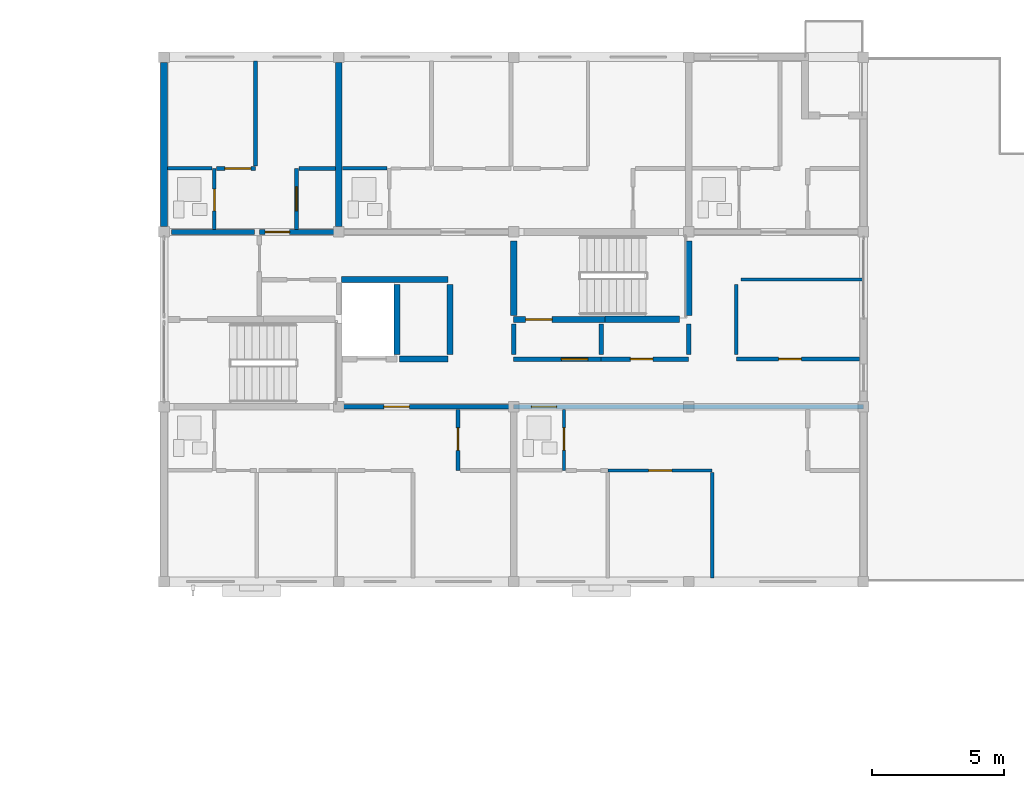
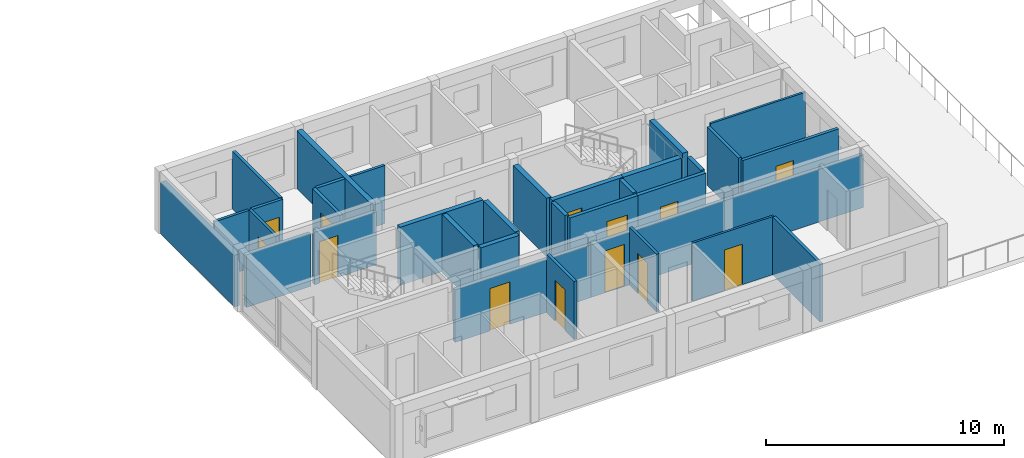
# One storey, part 13 of 22: 33 walls, 13 doors, 13 openings.
"""IFC4 building model written with IfcOpenShell, lengths in metres."""

from ifc_helpers import new_model, si_unit, direction, frame, frame_2d, origin, place, context, subcontext, project, spatial, rectangle, extrude, material, layer, layer_set, type_object, element, fill, save


model = new_model("IFC4")

# Units and contexts
model_context = context("Model", 3, precision=1e-05, world=origin(), true_north=direction((0.0, 1.0)))
body_context = subcontext(model_context, "Body", "Model", "MODEL_VIEW")
ifc_project = project(units=[si_unit("LENGTHUNIT", "METRE"), si_unit("AREAUNIT", "SQUARE_METRE"), si_unit("VOLUMEUNIT", "CUBIC_METRE"), si_unit("PLANEANGLEUNIT", "RADIAN"), si_unit("MASSUNIT", "GRAM", prefix="KILO")], contexts=[model_context])

# Site, building, storey
site_placement = place(None, origin())
site = spatial("IfcSite", under=ifc_project, at=site_placement, CompositionType="ELEMENT")
building_placement = place(site_placement, origin())
building = spatial("IfcBuilding", under=site, at=building_placement, Name="Kernevlak Ridge Housing Community", CompositionType="ELEMENT")
storey_placement = place(building_placement, frame((0.0, 0.0, 43.60009765625)))
storey = spatial("IfcBuildingStorey", under=building, at=storey_placement, Name="L13", CompositionType="ELEMENT", Elevation=43.60009765625)

# Walls
ifc_material_1 = material(Name="Concrete block masonry M10", Category="masonry")
ifc_layer_1 = layer(ifc_material_1, 0.260009765625, Name="Concrete block masonry M10")
ifc_layer_set_1 = layer_set([ifc_layer_1], Name="Concrete block masonry M10")
wall_type_1 = type_object("IfcWallType", Name="EW-05", PredefinedType="STANDARD", material=ifc_layer_set_1)
wall_1_placement = place(storey_placement, frame((119.39990234375, 96.0, 0.0), z_axis=(0.0, 0.0, 1.0), x_axis=(0.0, 1.0, 0.0)))
element("IfcWall", 1, at=wall_1_placement, inside=storey, type_object=wall_type_1, Name="Exterior wall EW-05 L13 510", PredefinedType="STANDARD", context=body_context, shape_type="SweptSolid", body=[
    extrude(rectangle(XDim=6.199951171875, YDim=0.260009765625, at=frame_2d((3.10009765625, 0.0))), origin(), (0.0, 0.0, 1.0), 2.64990234375),
])
ifc_material_2 = material(Name="Concrete C35/45", Category="concrete")
ifc_layer_2 = layer(ifc_material_2, 0.22509765625, Name="Concrete C35/45")
ifc_layer_set_2 = layer_set([ifc_layer_2], Name="Concrete C35/45")
wall_type_2 = type_object("IfcWallType", Name="PW-01", PredefinedType="STANDARD", material=ifc_layer_set_2)
wall_2_placement = place(storey_placement, frame((128.280029296875, 91.0, 0.0), z_axis=(0.0, 0.0, 1.0), x_axis=(1.0, 0.0, 0.0)))
element("IfcWall", 2, at=wall_2_placement, inside=storey, type_object=wall_type_2, Name="Interior wall PW-01 WAL-INT-L13-1959", PredefinedType="STANDARD", context=body_context, shape_type="SweptSolid", body=[
    extrude(rectangle(XDim=1.840087890625, YDim=0.22509765625, at=frame_2d((0.919921875, 0.0))), origin(), (0.0, 0.0, 1.0), 2.97998046875),
])
wall_3_placement = place(storey_placement, frame((126.097412109375, 94.0, 0.0), z_axis=(0.0, 0.0, 1.0), x_axis=(1.0, 0.0, 0.0)))
element("IfcWall", 3, at=wall_3_placement, inside=storey, type_object=wall_type_2, Name="Interior wall PW-01 WAL-INT-L13-1960", PredefinedType="STANDARD", context=body_context, shape_type="SweptSolid", body=[
    extrude(rectangle(XDim=4.022705078125, YDim=0.22509765625, at=frame_2d((2.01123046875, 0.0))), origin(), (0.0, 0.0, 1.0), 2.97998046875),
])
for number, where, z_axis, x_axis, name in (
    (4, (128.199951171875, 91.179931640625, 0.0), (0.0, 0.0, 1.0), (0.0, 1.0, 0.0), "Interior wall PW-01 WAL-INT-L13-1962"),
    (5, (130.199951171875, 91.179931640625, 0.0), (0.0, 0.0, 1.0), (0.0, 1.0, 0.0), "Interior wall PW-01 WAL-INT-L13-1963"),
):
    element("IfcWall", number, at=place(storey_placement, frame(where, z_axis=z_axis, x_axis=x_axis)), inside=storey, type_object=wall_type_2, Name=name, PredefinedType="STANDARD", context=body_context, shape_type="SweptSolid", body=[
        extrude(rectangle(XDim=2.64013671875, YDim=0.22509765625, at=frame_2d((1.320068359375, 0.0))), origin(), (0.0, 0.0, 1.0), 2.97998046875),
    ])

# Wall, opening, door
wall_4_placement = place(storey_placement, frame((132.60009765625, 92.5, 0.0), z_axis=(0.0, 0.0, 1.0), x_axis=(1.0, 0.0, 0.0)))
wall_4 = element("IfcWall", 6, at=wall_4_placement, inside=storey, type_object=wall_type_2, Name="Interior wall PW-01 WAL-INT-L13-1964", PredefinedType="STANDARD", context=body_context, shape_type="SweptSolid", body=[
    extrude(rectangle(XDim=3.449951171875, YDim=0.22509765625, at=frame_2d((1.72509765625, 0.0))), origin(), (0.0, 0.0, 1.0), 2.97998046875),
])
opening_1_placement = place(wall_4_placement, frame((0.449951171875, 0.0, 0.0)))
opening_1 = element("IfcOpeningElement", 7, at=opening_1_placement, cuts=wall_4, Name="Opening D994", PredefinedType="OPENING", context=body_context, shape_type="SweptSolid", body=[
    extrude(rectangle(XDim=1.0, YDim=2.10009765625, at=frame_2d((0.5, 1.050048828125))), frame((0.0, 0.12255859375, 0.0), z_axis=(0.0, -1.0, 0.0), x_axis=(1.0, 0.0, 0.0)), (0.0, 0.0, 1.0), 0.2451171875),
])
ifc_material_3 = material(Name="Fire-rated sheet steel leaf", Category="steel")
door_type_1 = type_object("IfcDoorType", Name="DT-05", OperationType="NOTDEFINED", PredefinedType="DOOR", material=ifc_material_3)
door_1_placement = place(opening_1_placement, origin())
door_1 = element("IfcDoor", 8, at=door_1_placement, inside=storey, type_object=door_type_1, Name="Block B Stair 2 fire door D994", OperationType="SINGLE_SWING_RIGHT", OverallHeight=2.10009765625, OverallWidth=1.0, PredefinedType="DOOR", context=body_context, shape_type="SweptSolid", body=[
    extrude(rectangle(XDim=1.0, YDim=2.10009765625, at=frame_2d((0.5, 1.050048828125))), frame((0.0, 0.02490234375, 0.0), z_axis=(0.0, -1.0, 0.0), x_axis=(1.0, 0.0, 0.0)), (0.0, 0.0, 1.0), 0.050048828125),
])
fill(opening_1, door_1)

ifc_layer_3 = layer(ifc_material_1, 0.175048828125, Name="Concrete block masonry M10")
ifc_layer_set_3 = layer_set([ifc_layer_3], Name="Concrete block masonry M10")
wall_type_3 = type_object("IfcWallType", Name="PW-02", PredefinedType="PARTITIONING", material=ifc_layer_set_3)
wall_5_placement = place(storey_placement, frame((132.60009765625, 91.0, 0.0), z_axis=(0.0, 0.0, 1.0), x_axis=(1.0, 0.0, 0.0)))
wall_5 = element("IfcWall", 9, at=wall_5_placement, inside=storey, type_object=wall_type_3, Name="Interior wall PW-02 WAL-INT-L13-1965", PredefinedType="PARTITIONING", context=body_context, shape_type="SweptSolid", body=[
    extrude(rectangle(XDim=3.2998046875, YDim=0.175048828125, at=frame_2d((1.64990234375, 0.0))), origin(), (0.0, 0.0, 1.0), 2.97998046875),
])
opening_2_placement = place(wall_5_placement, frame((1.800048828125, 0.0, 0.0)))
opening_2 = element("IfcOpeningElement", 10, at=opening_2_placement, cuts=wall_5, Name="Opening D995", PredefinedType="OPENING", context=body_context, shape_type="SweptSolid", body=[
    extrude(rectangle(XDim=1.0, YDim=2.159912109375, at=frame_2d((0.5, 1.080078125))), frame((0.0, 0.097412109375, 0.0), z_axis=(0.0, -1.0, 0.0), x_axis=(1.0, 0.0, 0.0)), (0.0, 0.0, 1.0), 0.195068359375),
])
door_type_2 = type_object("IfcDoorType", Name="DT-15", OperationType="NOTDEFINED", PredefinedType="DOOR", material=ifc_material_3)
door_2_placement = place(opening_2_placement, origin())
door_2 = element("IfcDoor", 11, at=door_2_placement, inside=storey, type_object=door_type_2, Name="Block B Firefighting lobby 2 door D995", OperationType="SINGLE_SWING_LEFT", OverallHeight=2.159912109375, OverallWidth=1.0, PredefinedType="DOOR", context=body_context, shape_type="SweptSolid", body=[
    extrude(rectangle(XDim=1.0, YDim=2.159912109375, at=frame_2d((0.5, 1.080078125))), frame((0.0, 0.02490234375, 0.0), z_axis=(0.0, -1.0, 0.0), x_axis=(1.0, 0.0, 0.0)), (0.0, 0.0, 1.0), 0.050048828125),
])
fill(opening_2, door_2)

wall_6_placement = place(storey_placement, frame((135.89990234375, 91.0, 0.0), z_axis=(0.0, 0.0, 1.0), x_axis=(1.0, 0.0, 0.0)))
wall_6 = element("IfcWall", 12, at=wall_6_placement, inside=storey, type_object=wall_type_3, Name="Interior wall PW-02 WAL-INT-L13-1966", PredefinedType="PARTITIONING", context=body_context, shape_type="SweptSolid", body=[
    extrude(rectangle(XDim=3.300048828125, YDim=0.175048828125, at=frame_2d((1.64990234375, 0.0))), origin(), (0.0, 0.0, 1.0), 2.97998046875),
])
opening_3_placement = place(wall_6_placement, frame((1.10009765625, 0.0, 0.0)))
opening_3 = element("IfcOpeningElement", 13, at=opening_3_placement, cuts=wall_6, Name="Opening D996", PredefinedType="OPENING", context=body_context, shape_type="SweptSolid", body=[
    extrude(rectangle(XDim=0.85009765625, YDim=2.0, at=frame_2d((0.425048828125, 1.0))), frame((0.0, 0.097412109375, 0.0), z_axis=(0.0, -1.0, 0.0), x_axis=(1.0, 0.0, 0.0)), (0.0, 0.0, 1.0), 0.195068359375),
])
door_type_3 = type_object("IfcDoorType", Name="DT-07", OperationType="NOTDEFINED", PredefinedType="DOOR", material=ifc_material_3)
door_3_placement = place(opening_3_placement, origin())
door_3 = element("IfcDoor", 14, at=door_3_placement, inside=storey, type_object=door_type_3, Name="Block B Cleaner store door D996", OperationType="SINGLE_SWING_RIGHT", OverallHeight=2.0, OverallWidth=0.85009765625, PredefinedType="DOOR", context=body_context, shape_type="SweptSolid", body=[
    extrude(rectangle(XDim=0.85009765625, YDim=2.0, at=frame_2d((0.425048828125, 1.0))), frame((0.0, 0.02490234375, 0.0), z_axis=(0.0, -1.0, 0.0), x_axis=(1.0, 0.0, 0.0)), (0.0, 0.0, 1.0), 0.050048828125),
])
fill(opening_3, door_3)

# Walls
for number, where, z_axis, x_axis, name in (
    (15, (132.60009765625, 91.179931640625, 0.0), (0.0, 0.0, 1.0), (0.0, 1.0, 0.0), "Interior wall PW-02 WAL-INT-L13-1967"),
    (16, (135.89990234375, 91.179931640625, 0.0), (0.0, 0.0, 1.0), (0.0, 1.0, 0.0), "Interior wall PW-02 WAL-INT-L13-1968"),
    (17, (139.199951171875, 91.179931640625, 0.0), (0.0, 0.0, 1.0), (0.0, 1.0, 0.0), "Interior wall PW-02 WAL-INT-L13-1969"),
):
    element("IfcWall", number, at=place(storey_placement, frame(where, z_axis=z_axis, x_axis=x_axis)), inside=storey, type_object=wall_type_3, Name=name, PredefinedType="PARTITIONING", context=body_context, shape_type="SweptSolid", body=[
        extrude(rectangle(XDim=1.14013671875, YDim=0.175048828125, at=frame_2d((0.570068359375, 0.0))), origin(), (0.0, 0.0, 1.0), 2.97998046875),
    ])

# Wall, opening, door
wall_7_placement = place(storey_placement, frame((126.0, 89.199951171875, 0.0), z_axis=(0.0, 0.0, 1.0), x_axis=(1.0, 0.0, 0.0)))
wall_7 = element("IfcWall", 18, at=wall_7_placement, inside=storey, type_object=wall_type_3, Name="Interior wall PW-02 WAL-INT-L13-1973", PredefinedType="PARTITIONING", context=body_context, shape_type="SweptSolid", body=[
    extrude(rectangle(XDim=6.60009765625, YDim=0.175048828125, at=frame_2d((3.300048828125, 0.0))), origin(), (0.0, 0.0, 1.0), 2.699951171875),
])
opening_4_placement = place(wall_7_placement, frame((1.699951171875, 0.0, 0.0)))
opening_4 = element("IfcOpeningElement", 19, at=opening_4_placement, cuts=wall_7, Name="Opening D999", PredefinedType="OPENING", context=body_context, shape_type="SweptSolid", body=[
    extrude(rectangle(XDim=0.9599609375, YDim=2.179931640625, at=frame_2d((0.47998046875, 1.08984375))), frame((0.0, 0.097412109375, 0.0), z_axis=(0.0, -1.0, 0.0), x_axis=(1.0, 0.0, 0.0)), (0.0, 0.0, 1.0), 0.195068359375),
])
ifc_material_4 = material(Name="Hardwood timber solid-core fire leaf", Category="wood")
door_type_4 = type_object("IfcDoorType", Name="DT-29", OperationType="NOTDEFINED", PredefinedType="DOOR", material=ifc_material_4)
door_4_placement = place(opening_4_placement, origin())
door_4 = element("IfcDoor", 20, at=door_4_placement, inside=storey, type_object=door_type_4, Name="Flat B1311 entrance fire door D999", OperationType="SINGLE_SWING_LEFT", OverallHeight=2.179931640625, OverallWidth=0.9599609375, PredefinedType="DOOR", context=body_context, shape_type="SweptSolid", body=[
    extrude(rectangle(XDim=0.9599609375, YDim=2.179931640625, at=frame_2d((0.47998046875, 1.08984375))), frame((0.0, 0.02490234375, 0.0), z_axis=(0.0, -1.0, 0.0), x_axis=(1.0, 0.0, 0.0)), (0.0, 0.0, 1.0), 0.050048828125),
])
fill(opening_4, door_4)

wall_8_placement = place(storey_placement, frame((132.60009765625, 89.199951171875, 0.0), z_axis=(0.0, 0.0, 1.0), x_axis=(1.0, 0.0, 0.0)))
wall_8 = element("IfcWall", 21, at=wall_8_placement, inside=storey, type_object=wall_type_3, Name="Interior wall PW-02 WAL-INT-L13-1984", PredefinedType="PARTITIONING", context=body_context, shape_type="SweptSolid", body=[
    extrude(rectangle(XDim=13.199951171875, YDim=0.175048828125, at=frame_2d((6.60009765625, 0.0))), origin(), (0.0, 0.0, 1.0), 2.699951171875),
])
opening_5_placement = place(wall_8_placement, frame((0.669921875, 0.0, 0.0)))
opening_5 = element("IfcOpeningElement", 22, at=opening_5_placement, cuts=wall_8, Name="Opening E006", PredefinedType="OPENING", context=body_context, shape_type="SweptSolid", body=[
    extrude(rectangle(XDim=0.949951171875, YDim=2.159912109375, at=frame_2d((0.47509765625, 1.080078125))), frame((0.0, 0.097412109375, 0.0), z_axis=(0.0, -1.0, 0.0), x_axis=(1.0, 0.0, 0.0)), (0.0, 0.0, 1.0), 0.195068359375),
])
door_type_5 = type_object("IfcDoorType", Name="DT-02", OperationType="NOTDEFINED", PredefinedType="DOOR", material=ifc_material_4)
door_5_placement = place(opening_5_placement, origin())
door_5 = element("IfcDoor", 23, at=door_5_placement, inside=storey, type_object=door_type_5, Name="Flat B1312 entrance fire door E006", OperationType="SINGLE_SWING_LEFT", OverallHeight=2.159912109375, OverallWidth=0.949951171875, PredefinedType="DOOR", context=body_context, shape_type="SweptSolid", body=[
    extrude(rectangle(XDim=0.949951171875, YDim=2.159912109375, at=frame_2d((0.47509765625, 1.080078125))), frame((0.0, 0.02490234375, 0.0), z_axis=(0.0, -1.0, 0.0), x_axis=(1.0, 0.0, 0.0)), (0.0, 0.0, 1.0), 0.050048828125),
])
fill(opening_5, door_5)

# Wall
wall_9_placement = place(storey_placement, frame((119.679931640625, 95.800048828125, 0.0), z_axis=(0.0, 0.0, 1.0), x_axis=(1.0, 0.0, 0.0)))
element("IfcWall", 24, at=wall_9_placement, inside=storey, type_object=wall_type_3, Name="Interior wall PW-02 WAL-INT-L13-1993", PredefinedType="PARTITIONING", context=body_context, shape_type="SweptSolid", body=[
    extrude(rectangle(XDim=3.14013671875, YDim=0.175048828125, at=frame_2d((1.570068359375, 0.0))), origin(), (0.0, 0.0, 1.0), 2.699951171875),
])

# Wall, opening, door
wall_10_placement = place(storey_placement, frame((123.0, 95.800048828125, 0.0), z_axis=(0.0, 0.0, 1.0), x_axis=(1.0, 0.0, 0.0)))
wall_10 = element("IfcWall", 25, at=wall_10_placement, inside=storey, type_object=wall_type_3, Name="Interior wall PW-02 WAL-INT-L13-1994", PredefinedType="PARTITIONING", context=body_context, shape_type="SweptSolid", body=[
    extrude(rectangle(XDim=3.0, YDim=0.175048828125, at=frame_2d((1.5, 0.0))), origin(), (0.0, 0.0, 1.0), 2.699951171875),
])
opening_6_placement = place(wall_10_placement, frame((0.219970703125, 0.0, 0.0)))
opening_6 = element("IfcOpeningElement", 26, at=opening_6_placement, cuts=wall_10, Name="Opening E011", PredefinedType="OPENING", context=body_context, shape_type="SweptSolid", body=[
    extrude(rectangle(XDim=0.919921875, YDim=2.139892578125, at=frame_2d((0.4599609375, 1.06982421875))), frame((0.0, 0.097412109375, 0.0), z_axis=(0.0, -1.0, 0.0), x_axis=(1.0, 0.0, 0.0)), (0.0, 0.0, 1.0), 0.195068359375),
])
door_type_6 = type_object("IfcDoorType", Name="DT-20", OperationType="NOTDEFINED", PredefinedType="DOOR", material=ifc_material_4)
door_6_placement = place(opening_6_placement, origin())
door_6 = element("IfcDoor", 27, at=door_6_placement, inside=storey, type_object=door_type_6, Name="Flat B1321 entrance fire door E011", OperationType="SINGLE_SWING_RIGHT", OverallHeight=2.139892578125, OverallWidth=0.919921875, PredefinedType="DOOR", context=body_context, shape_type="SweptSolid", body=[
    extrude(rectangle(XDim=0.919921875, YDim=2.139892578125, at=frame_2d((0.4599609375, 1.06982421875))), frame((0.0, 0.02490234375, 0.0), z_axis=(0.0, -1.0, 0.0), x_axis=(1.0, 0.0, 0.0)), (0.0, 0.0, 1.0), 0.050048828125),
])
fill(opening_6, door_6)

ifc_layer_4 = layer(ifc_material_1, 0.14501953125, Name="Concrete block masonry M10")
ifc_layer_set_4 = layer_set([ifc_layer_4], Name="Concrete block masonry M10")
wall_type_4 = type_object("IfcWallType", Name="PW-03", PredefinedType="PARTITIONING", material=ifc_layer_set_4)
wall_11_placement = place(storey_placement, frame((141.0, 91.0, 0.0), z_axis=(0.0, 0.0, 1.0), x_axis=(1.0, 0.0, 0.0)))
wall_11 = element("IfcWall", 28, at=wall_11_placement, inside=storey, type_object=wall_type_4, Name="Interior wall PW-03 WAL-INT-L13-1970", PredefinedType="PARTITIONING", context=body_context, shape_type="SweptSolid", body=[
    extrude(rectangle(XDim=4.659912109375, YDim=0.14501953125, at=frame_2d((2.330078125, 0.0))), origin(), (0.0, 0.0, 1.0), 2.97998046875),
])
opening_7_placement = place(wall_11_placement, frame((1.60009765625, 0.0, 0.0)))
opening_7 = element("IfcOpeningElement", 29, at=opening_7_placement, cuts=wall_11, Name="Opening D997", PredefinedType="OPENING", context=body_context, shape_type="SweptSolid", body=[
    extrude(rectangle(XDim=0.860107421875, YDim=2.1201171875, at=frame_2d((0.43017578125, 1.06005859375))), frame((0.0, 0.08251953125, 0.0), z_axis=(0.0, -1.0, 0.0), x_axis=(1.0, 0.0, 0.0)), (0.0, 0.0, 1.0), 0.1650390625),
])
ifc_material_5 = material(Name="Hardwood timber leaf", Category="wood")
door_type_7 = type_object("IfcDoorType", Name="DT-28", OperationType="NOTDEFINED", PredefinedType="DOOR", material=ifc_material_5)
door_7_placement = place(opening_7_placement, origin())
door_7 = element("IfcDoor", 30, at=door_7_placement, inside=storey, type_object=door_type_7, Name="Block B Laundry room door D997", OperationType="SINGLE_SWING_LEFT", OverallHeight=2.1201171875, OverallWidth=0.860107421875, PredefinedType="DOOR", context=body_context, shape_type="SweptSolid", body=[
    extrude(rectangle(XDim=0.860107421875, YDim=2.1201171875, at=frame_2d((0.43017578125, 1.06005859375))), frame((0.0, 0.02490234375, 0.0), z_axis=(0.0, -1.0, 0.0), x_axis=(1.0, 0.0, 0.0)), (0.0, 0.0, 1.0), 0.050048828125),
])
fill(opening_7, door_7)

# Walls
wall_12_placement = place(storey_placement, frame((141.0, 91.179931640625, 0.0), z_axis=(0.0, 0.0, 1.0), x_axis=(0.0, 1.0, 0.0)))
element("IfcWall", 31, at=wall_12_placement, inside=storey, type_object=wall_type_4, Name="Interior wall PW-03 WAL-INT-L13-1972", PredefinedType="PARTITIONING", context=body_context, shape_type="SweptSolid", body=[
    extrude(rectangle(XDim=2.64013671875, YDim=0.14501953125, at=frame_2d((1.320068359375, 0.0))), origin(), (0.0, 0.0, 1.0), 2.97998046875),
])
wall_13_placement = place(storey_placement, frame((140.092041015625, 86.719970703125, 0.0), z_axis=(0.0, 0.0, 1.0), x_axis=(0.0, -1.0, 0.0)))
element("IfcWall", 32, at=wall_13_placement, inside=storey, type_object=wall_type_4, Name="Interior wall PW-03 WAL-INT-L13-1992", PredefinedType="PARTITIONING", context=body_context, shape_type="SweptSolid", body=[
    extrude(rectangle(XDim=3.97998046875, YDim=0.14501953125, at=frame_2d((1.989990234375, 0.0))), origin(), (0.0, 0.0, 1.0), 2.97998046875),
])

# Wall, opening, door
wall_14_placement = place(storey_placement, frame((121.37255859375, 98.199951171875, 0.0), z_axis=(0.0, 0.0, 1.0), x_axis=(1.0, 0.0, 0.0)))
wall_14 = element("IfcWall", 33, at=wall_14_placement, inside=storey, type_object=wall_type_4, Name="Interior wall PW-03 WAL-INT-L13-1999", PredefinedType="PARTITIONING", context=body_context, shape_type="SweptSolid", body=[
    extrude(rectangle(XDim=1.4775390625, YDim=0.14501953125, at=frame_2d((0.73876953125, 0.0))), origin(), (0.0, 0.0, 1.0), 2.97998046875),
])
opening_8_placement = place(wall_14_placement, frame((0.327392578125, 0.0, 0.0)))
opening_8 = element("IfcOpeningElement", 34, at=opening_8_placement, cuts=wall_14, Name="Opening E014", PredefinedType="OPENING", context=body_context, shape_type="SweptSolid", body=[
    extrude(rectangle(XDim=0.97998046875, YDim=2.1201171875, at=frame_2d((0.489990234375, 1.06005859375))), frame((0.0, 0.08251953125, 0.0), z_axis=(0.0, -1.0, 0.0), x_axis=(1.0, 0.0, 0.0)), (0.0, 0.0, 1.0), 0.1650390625),
])
door_type_8 = type_object("IfcDoorType", Name="DT-24", OperationType="NOTDEFINED", PredefinedType="DOOR", material=ifc_material_5)
door_8_placement = place(opening_8_placement, origin())
door_8 = element("IfcDoor", 35, at=door_8_placement, inside=storey, type_object=door_type_8, Name="Flat B1321 bedroom door E014", OperationType="SINGLE_SWING_LEFT", OverallHeight=2.1201171875, OverallWidth=0.97998046875, PredefinedType="DOOR", context=body_context, shape_type="SweptSolid", body=[
    extrude(rectangle(XDim=0.97998046875, YDim=2.1201171875, at=frame_2d((0.489990234375, 1.06005859375))), frame((0.0, 0.02490234375, 0.0), z_axis=(0.0, -1.0, 0.0), x_axis=(1.0, 0.0, 0.0)), (0.0, 0.0, 1.0), 0.050048828125),
])
fill(opening_8, door_8)

# Wall
wall_15_placement = place(storey_placement, frame((122.85009765625, 98.282470703125, 0.0), z_axis=(0.0, 0.0, 1.0), x_axis=(0.0, 1.0, 0.0)))
element("IfcWall", 36, at=wall_15_placement, inside=storey, type_object=wall_type_4, Name="Interior wall PW-03 WAL-INT-L13-2000", PredefinedType="PARTITIONING", context=body_context, shape_type="SweptSolid", body=[
    extrude(rectangle(XDim=3.9775390625, YDim=0.14501953125, at=frame_2d((1.98876953125, 0.0))), origin(), (0.0, 0.0, 1.0), 2.97998046875),
])

# Wall, opening, door
ifc_material_6 = material(Name="Gypsum plasterboard EN 520", Category="gypsum")
ifc_layer_5 = layer(ifc_material_6, 0.125, Name="Gypsum plasterboard EN 520")
ifc_layer_set_5 = layer_set([ifc_layer_5], Name="Gypsum plasterboard EN 520")
wall_type_5 = type_object("IfcWallType", Name="PW-04", PredefinedType="PARTITIONING", material=ifc_layer_set_5)
wall_16_placement = place(storey_placement, frame((134.5, 89.1025390625, 0.0), z_axis=(0.0, 0.0, 1.0), x_axis=(0.0, -1.0, 0.0)))
wall_16 = element("IfcWall", 37, at=wall_16_placement, inside=storey, type_object=wall_type_5, Name="Interior wall PW-04 WAL-INT-L13-1985", PredefinedType="PARTITIONING", context=body_context, shape_type="SweptSolid", body=[
    extrude(rectangle(XDim=2.302490234375, YDim=0.125, at=frame_2d((1.1513671875, 0.0))), origin(), (0.0, 0.0, 1.0), 2.97998046875),
])
opening_9_placement = place(wall_16_placement, frame((0.699951171875, 0.0, 0.0)))
opening_9 = element("IfcOpeningElement", 38, at=opening_9_placement, cuts=wall_16, Name="Opening E007", PredefinedType="OPENING", context=body_context, shape_type="SweptSolid", body=[
    extrude(rectangle(XDim=0.840087890625, YDim=2.06005859375, at=frame_2d((0.419921875, 1.030029296875))), frame((0.0, 0.072509765625, 0.0), z_axis=(0.0, -1.0, 0.0), x_axis=(1.0, 0.0, 0.0)), (0.0, 0.0, 1.0), 0.14501953125),
])
ifc_material_7 = material(Name="Hardwood timber moisture-resistant leaf", Category="wood")
door_type_9 = type_object("IfcDoorType", Name="DT-27", OperationType="NOTDEFINED", PredefinedType="DOOR", material=ifc_material_7)
door_9_placement = place(opening_9_placement, origin())
door_9 = element("IfcDoor", 39, at=door_9_placement, inside=storey, type_object=door_type_9, Name="Flat B1312 bathroom door E007", OperationType="SINGLE_SWING_RIGHT", OverallHeight=2.06005859375, OverallWidth=0.840087890625, PredefinedType="DOOR", context=body_context, shape_type="SweptSolid", body=[
    extrude(rectangle(XDim=0.840087890625, YDim=2.06005859375, at=frame_2d((0.419921875, 1.030029296875))), frame((0.0, 0.02490234375, 0.0), z_axis=(0.0, -1.0, 0.0), x_axis=(1.0, 0.0, 0.0)), (0.0, 0.0, 1.0), 0.050048828125),
])
fill(opening_9, door_9)

wall_17_placement = place(storey_placement, frame((121.300048828125, 95.8974609375, 0.0), z_axis=(0.0, 0.0, 1.0), x_axis=(0.0, 1.0, 0.0)))
wall_17 = element("IfcWall", 40, at=wall_17_placement, inside=storey, type_object=wall_type_5, Name="Interior wall PW-04 WAL-INT-L13-1995", PredefinedType="PARTITIONING", context=body_context, shape_type="SweptSolid", body=[
    extrude(rectangle(XDim=2.302490234375, YDim=0.125, at=frame_2d((1.1513671875, 0.0))), origin(), (0.0, 0.0, 1.0), 2.97998046875),
])
opening_10_placement = place(wall_17_placement, frame((0.699951171875, 0.0, 0.0)))
opening_10 = element("IfcOpeningElement", 41, at=opening_10_placement, cuts=wall_17, Name="Opening E012", PredefinedType="OPENING", context=body_context, shape_type="SweptSolid", body=[
    extrude(rectangle(XDim=0.820068359375, YDim=2.050048828125, at=frame_2d((0.41015625, 1.02490234375))), frame((0.0, 0.072509765625, 0.0), z_axis=(0.0, -1.0, 0.0), x_axis=(1.0, 0.0, 0.0)), (0.0, 0.0, 1.0), 0.14501953125),
])
door_type_10 = type_object("IfcDoorType", Name="DT-30", OperationType="NOTDEFINED", PredefinedType="DOOR", material=ifc_material_7)
door_10_placement = place(opening_10_placement, origin())
door_10 = element("IfcDoor", 42, at=door_10_placement, inside=storey, type_object=door_type_10, Name="Flat B1321 bathroom door E012", OperationType="SINGLE_SWING_LEFT", OverallHeight=2.050048828125, OverallWidth=0.820068359375, PredefinedType="DOOR", context=body_context, shape_type="SweptSolid", body=[
    extrude(rectangle(XDim=0.820068359375, YDim=2.050048828125, at=frame_2d((0.41015625, 1.02490234375))), frame((0.0, 0.02490234375, 0.0), z_axis=(0.0, -1.0, 0.0), x_axis=(1.0, 0.0, 0.0)), (0.0, 0.0, 1.0), 0.050048828125),
])
fill(opening_10, door_10)

# Walls
wall_18_placement = place(storey_placement, frame((119.5400390625, 98.199951171875, 0.0), z_axis=(0.0, 0.0, 1.0), x_axis=(1.0, 0.0, 0.0)))
element("IfcWall", 43, at=wall_18_placement, inside=storey, type_object=wall_type_5, Name="Interior wall PW-04 WAL-INT-L13-1996", PredefinedType="PARTITIONING", context=body_context, shape_type="SweptSolid", body=[
    extrude(rectangle(XDim=1.679931640625, YDim=0.125, at=frame_2d((0.83984375, 0.0))), origin(), (0.0, 0.0, 1.0), 2.97998046875),
])
wall_19_placement = place(storey_placement, frame((126.135009765625, 98.199951171875, 0.0), z_axis=(0.0, 0.0, 1.0), x_axis=(1.0, 0.0, 0.0)))
element("IfcWall", 44, at=wall_19_placement, inside=storey, type_object=wall_type_5, Name="Interior wall PW-04 WAL-INT-L13-2003", PredefinedType="PARTITIONING", context=body_context, shape_type="SweptSolid", body=[
    extrude(rectangle(XDim=1.68505859375, YDim=0.125, at=frame_2d((0.842529296875, 0.0))), origin(), (0.0, 0.0, 1.0), 2.97998046875),
])

# Wall, opening, door
ifc_layer_6 = layer(ifc_material_6, 0.155029296875, Name="Gypsum plasterboard EN 520")
ifc_layer_set_6 = layer_set([ifc_layer_6], Name="Gypsum plasterboard EN 520")
wall_type_6 = type_object("IfcWallType", Name="PW-05", PredefinedType="PARTITIONING", material=ifc_layer_set_6)
wall_20_placement = place(storey_placement, frame((130.5, 89.1025390625, 0.0), z_axis=(0.0, 0.0, 1.0), x_axis=(0.0, -1.0, 0.0)))
wall_20 = element("IfcWall", 45, at=wall_20_placement, inside=storey, type_object=wall_type_6, Name="Interior wall PW-05 WAL-INT-L13-1976", PredefinedType="PARTITIONING", context=body_context, shape_type="SweptSolid", body=[
    extrude(rectangle(XDim=2.302490234375, YDim=0.155029296875, at=frame_2d((1.1513671875, 0.0))), origin(), (0.0, 0.0, 1.0), 2.97998046875),
])
opening_11_placement = place(wall_20_placement, frame((0.699951171875, 0.0, 0.0)))
opening_11 = element("IfcOpeningElement", 46, at=opening_11_placement, cuts=wall_20, Name="Opening E002", PredefinedType="OPENING", context=body_context, shape_type="SweptSolid", body=[
    extrude(rectangle(XDim=0.85009765625, YDim=2.10009765625, at=frame_2d((0.425048828125, 1.050048828125))), frame((0.0, 0.08740234375, 0.0), z_axis=(0.0, -1.0, 0.0), x_axis=(1.0, 0.0, 0.0)), (0.0, 0.0, 1.0), 0.175048828125),
])
door_type_11 = type_object("IfcDoorType", Name="DT-03", OperationType="NOTDEFINED", PredefinedType="DOOR", material=ifc_material_5)
door_11_placement = place(opening_11_placement, origin())
door_11 = element("IfcDoor", 47, at=door_11_placement, inside=storey, type_object=door_type_11, Name="Flat B1311 kitchen door E002", OperationType="SINGLE_SWING_LEFT", OverallHeight=2.10009765625, OverallWidth=0.85009765625, PredefinedType="DOOR", context=body_context, shape_type="SweptSolid", body=[
    extrude(rectangle(XDim=0.85009765625, YDim=2.10009765625, at=frame_2d((0.425048828125, 1.050048828125))), frame((0.0, 0.02490234375, 0.0), z_axis=(0.0, -1.0, 0.0), x_axis=(1.0, 0.0, 0.0)), (0.0, 0.0, 1.0), 0.050048828125),
])
fill(opening_11, door_11)

wall_21_placement = place(storey_placement, frame((124.39990234375, 95.8974609375, 0.0), z_axis=(0.0, 0.0, 1.0), x_axis=(0.0, 1.0, 0.0)))
wall_21 = element("IfcWall", 48, at=wall_21_placement, inside=storey, type_object=wall_type_6, Name="Interior wall PW-05 WAL-INT-L13-1997", PredefinedType="PARTITIONING", context=body_context, shape_type="SweptSolid", body=[
    extrude(rectangle(XDim=2.302490234375, YDim=0.155029296875, at=frame_2d((1.1513671875, 0.0))), origin(), (0.0, 0.0, 1.0), 2.97998046875),
])
opening_12_placement = place(wall_21_placement, frame((0.699951171875, 0.0, 0.0)))
opening_12 = element("IfcOpeningElement", 49, at=opening_12_placement, cuts=wall_21, Name="Opening E013", PredefinedType="OPENING", context=body_context, shape_type="SweptSolid", body=[
    extrude(rectangle(XDim=0.89990234375, YDim=2.159912109375, at=frame_2d((0.449951171875, 1.080078125))), frame((0.0, 0.08740234375, 0.0), z_axis=(0.0, -1.0, 0.0), x_axis=(1.0, 0.0, 0.0)), (0.0, 0.0, 1.0), 0.175048828125),
])
door_type_12 = type_object("IfcDoorType", Name="DT-22", OperationType="NOTDEFINED", PredefinedType="DOOR", material=ifc_material_5)
door_12_placement = place(opening_12_placement, origin())
door_12 = element("IfcDoor", 50, at=door_12_placement, inside=storey, type_object=door_type_12, Name="Flat B1321 kitchen door E013", OperationType="SINGLE_SWING_RIGHT", OverallHeight=2.159912109375, OverallWidth=0.89990234375, PredefinedType="DOOR", context=body_context, shape_type="SweptSolid", body=[
    extrude(rectangle(XDim=0.89990234375, YDim=2.159912109375, at=frame_2d((0.449951171875, 1.080078125))), frame((0.0, 0.02490234375, 0.0), z_axis=(0.0, -1.0, 0.0), x_axis=(1.0, 0.0, 0.0)), (0.0, 0.0, 1.0), 0.050048828125),
])
fill(opening_12, door_12)

# Walls
wall_22_placement = place(storey_placement, frame((124.487548828125, 98.199951171875, 0.0), z_axis=(0.0, 0.0, 1.0), x_axis=(1.0, 0.0, 0.0)))
element("IfcWall", 51, at=wall_22_placement, inside=storey, type_object=wall_type_6, Name="Interior wall PW-05 WAL-INT-L13-1998", PredefinedType="PARTITIONING", context=body_context, shape_type="SweptSolid", body=[
    extrude(rectangle(XDim=1.37744140625, YDim=0.155029296875, at=frame_2d((0.688720703125, 0.0))), origin(), (0.0, 0.0, 1.0), 2.97998046875),
])
ifc_layer_7 = layer(ifc_material_6, 0.10498046875, Name="Gypsum plasterboard EN 520")
ifc_layer_set_7 = layer_set([ifc_layer_7], Name="Gypsum plasterboard EN 520")
wall_type_7 = type_object("IfcWallType", Name="PW-06", PredefinedType="PARTITIONING", material=ifc_layer_set_7)
wall_23_placement = place(storey_placement, frame((141.179931640625, 94.0, 0.0), z_axis=(0.0, 0.0, 1.0), x_axis=(1.0, 0.0, 0.0)))
element("IfcWall", 52, at=wall_23_placement, inside=storey, type_object=wall_type_7, Name="Interior wall PW-06 WAL-INT-L13-1971", PredefinedType="PARTITIONING", context=body_context, shape_type="SweptSolid", body=[
    extrude(rectangle(XDim=4.60009765625, YDim=0.10498046875, at=frame_2d((2.300048828125, 0.0))), origin(), (0.0, 0.0, 1.0), 2.97998046875),
])

# Wall, opening, door
wall_24_placement = place(storey_placement, frame((136.14990234375, 86.800048828125, 0.0), z_axis=(0.0, 0.0, 1.0), x_axis=(1.0, 0.0, 0.0)))
wall_24 = element("IfcWall", 53, at=wall_24_placement, inside=storey, type_object=wall_type_7, Name="Interior wall PW-06 WAL-INT-L13-1991", PredefinedType="PARTITIONING", context=body_context, shape_type="SweptSolid", body=[
    extrude(rectangle(XDim=3.942138671875, YDim=0.10498046875, at=frame_2d((1.97119140625, 0.0))), origin(), (0.0, 0.0, 1.0), 2.97998046875),
])
opening_13_placement = place(wall_24_placement, frame((1.5458984375, 0.0, 0.0)))
opening_13 = element("IfcOpeningElement", 54, at=opening_13_placement, cuts=wall_24, Name="Opening E010", PredefinedType="OPENING", context=body_context, shape_type="SweptSolid", body=[
    extrude(rectangle(XDim=0.8701171875, YDim=2.080078125, at=frame_2d((0.43505859375, 1.0400390625))), frame((0.0, 0.0625, 0.0), z_axis=(0.0, -1.0, 0.0), x_axis=(1.0, 0.0, 0.0)), (0.0, 0.0, 1.0), 0.125),
])
door_type_13 = type_object("IfcDoorType", Name="DT-32", OperationType="NOTDEFINED", PredefinedType="DOOR", material=ifc_material_5)
door_13_placement = place(opening_13_placement, origin())
door_13 = element("IfcDoor", 55, at=door_13_placement, inside=storey, type_object=door_type_13, Name="Flat B1312 bedroom door E010", OperationType="SINGLE_SWING_LEFT", OverallHeight=2.080078125, OverallWidth=0.8701171875, PredefinedType="DOOR", context=body_context, shape_type="SweptSolid", body=[
    extrude(rectangle(XDim=0.8701171875, YDim=2.080078125, at=frame_2d((0.43505859375, 1.0400390625))), frame((0.0, 0.02490234375, 0.0), z_axis=(0.0, -1.0, 0.0), x_axis=(1.0, 0.0, 0.0)), (0.0, 0.0, 1.0), 0.050048828125),
])
fill(opening_13, door_13)

# Walls
ifc_material_8 = material(Name="Concrete C40/50", Category="concrete")
ifc_layer_8 = layer(ifc_material_8, 0.25, Name="Concrete C40/50")
ifc_layer_set_8 = layer_set([ifc_layer_8], Name="Concrete C40/50")
wall_type_8 = type_object("IfcWallType", Name="SW-03", PredefinedType="SHEAR", material=ifc_layer_set_8)
for number, where, z_axis, x_axis, name in (
    (56, (136.050048828125, 92.5, 0.0), (0.0, 0.0, 1.0), (1.0, 0.0, 0.0), "Shear wall SW-03 Block B L13 345"),
    (57, (132.60009765625, 92.64990234375, 0.0), (0.0, 0.0, 1.0), (0.0, 1.0, 0.0), "Shear wall SW-03 Block B L13 346"),
    (58, (139.199951171875, 92.64990234375, 0.0), (0.0, 0.0, 1.0), (0.0, 1.0, 0.0), "Shear wall SW-03 Block B L13 347"),
):
    element("IfcWall", number, at=place(storey_placement, frame(where, z_axis=z_axis, x_axis=x_axis)), inside=storey, type_object=wall_type_8, Name=name, PredefinedType="SHEAR", context=body_context, shape_type="SweptSolid", body=[
        extrude(rectangle(XDim=2.800048828125, YDim=0.25, at=frame_2d((1.39990234375, 0.0))), origin(), (0.0, 0.0, 1.0), 2.97998046875),
    ])
wall_25_placement = place(storey_placement, frame((126.0, 96.0, 0.0), z_axis=(0.0, 0.0, 1.0), x_axis=(0.0, 1.0, 0.0)))
element("IfcWall", 59, at=wall_25_placement, inside=storey, type_object=wall_type_8, Name="Shear wall SW-03 Block B L13 349", PredefinedType="SHEAR", context=body_context, shape_type="SweptSolid", body=[
    extrude(rectangle(XDim=6.199951171875, YDim=0.25, at=frame_2d((3.10009765625, 0.0))), origin(), (0.0, 0.0, 1.0), 2.97998046875),
])

save(model, "model.ifc")
